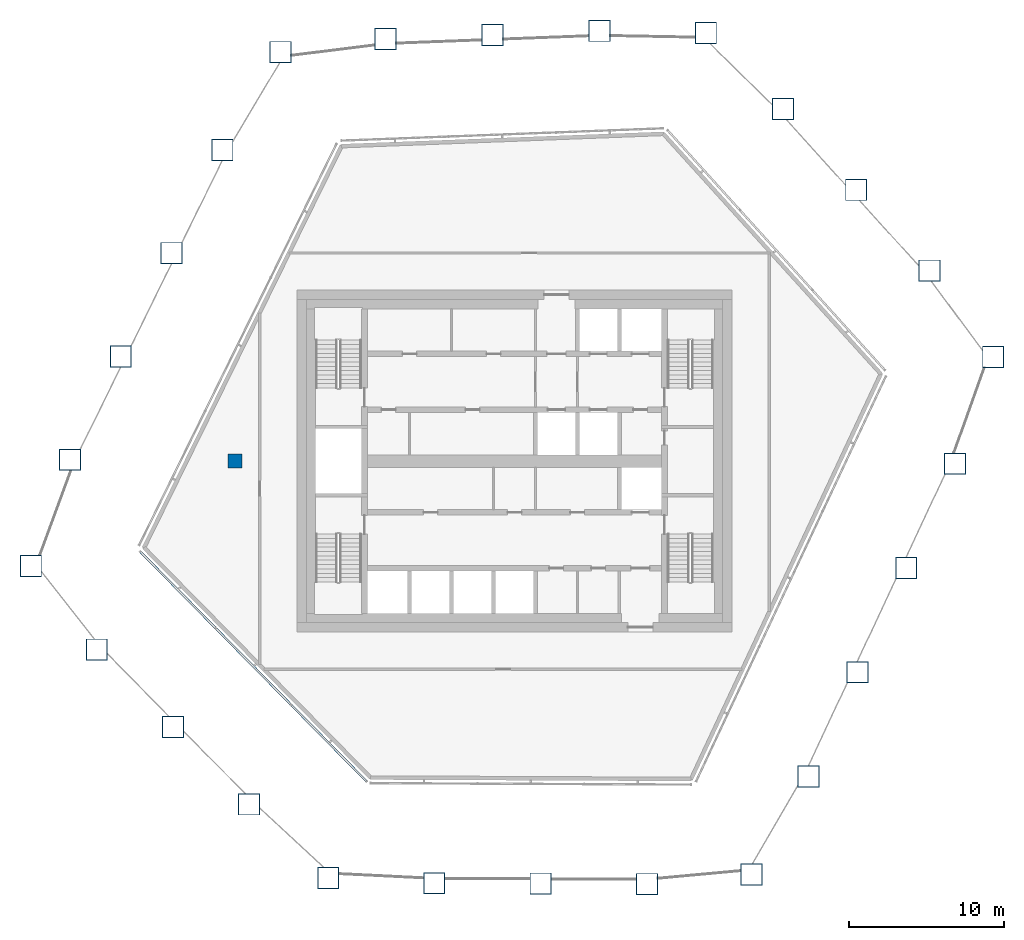
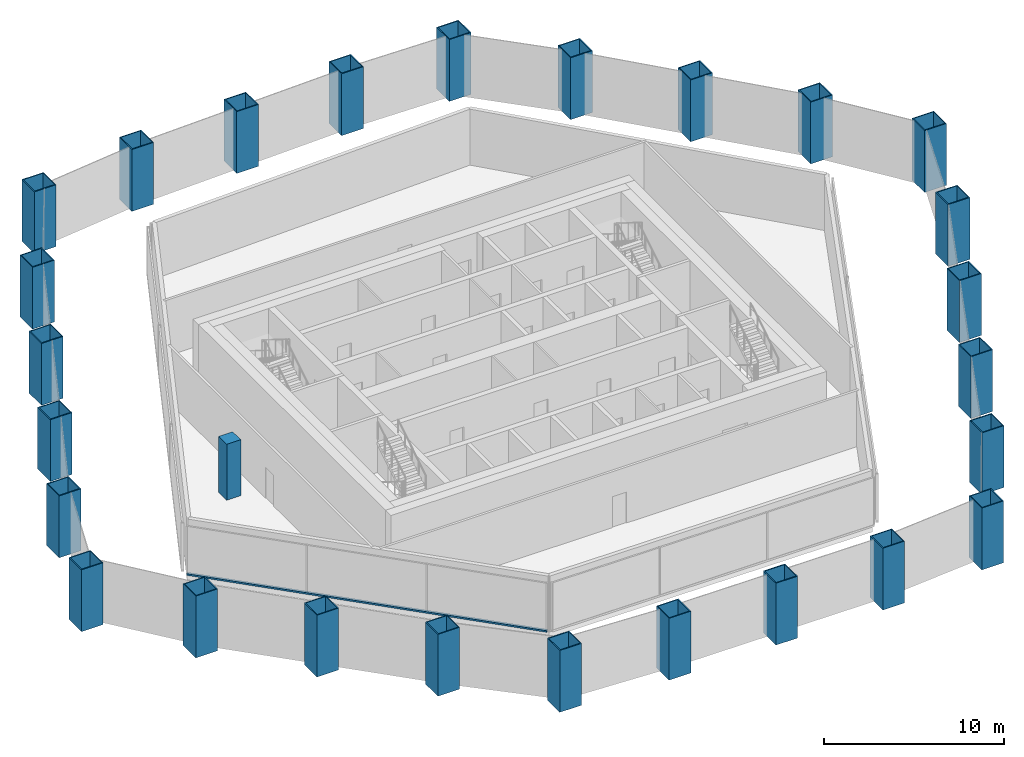
# One storey, part 1 of 18: 27 columns, 1 member, 1 element without a shape of its own.
"""IFC4 building model written with IfcOpenShell, lengths in metres."""

from ifc_helpers import new_model, si_unit, direction, frame, origin, origin_2d, place, context, subcontext, project, spatial, rectangle, hollow_rectangle, extrude, material, layer, layer_set, material_profile, profile_set, type_object, element, aggregate, save


model = new_model("IFC4")

# Units and contexts
model_context = context("Model", 3, precision=1e-05, world=origin(), true_north=direction((0.0, 1.0)))
body_context = subcontext(model_context, "Body", "Model", "MODEL_VIEW")
ifc_project = project(units=[si_unit("LENGTHUNIT", "METRE"), si_unit("AREAUNIT", "SQUARE_METRE"), si_unit("VOLUMEUNIT", "CUBIC_METRE"), si_unit("PLANEANGLEUNIT", "RADIAN"), si_unit("MASSUNIT", "GRAM", prefix="KILO")], contexts=[model_context])

# Site, building, storey
site_placement = place(None, origin())
site = spatial("IfcSite", under=ifc_project, at=site_placement, CompositionType="ELEMENT")
building_placement = place(site_placement, origin())
building = spatial("IfcBuilding", under=site, at=building_placement, Name="Dongbaek Canopy Tower", CompositionType="ELEMENT")
storey_placement = place(building_placement, frame((0.0, 0.0, 359.0)))
storey = spatial("IfcBuildingStorey", under=building, at=storey_placement, Name="L77", CompositionType="ELEMENT", Elevation=359.0)

# Columns
ifc_material_1 = material(Name="Steel S355", Category="steel")
ifc_material_profile_1 = material_profile(ifc_material_1, hollow_rectangle(XDim=1.39990234375, YDim=1.39990234375, WallThickness=0.06005859375, at=origin_2d()), Name="COLUMN BOX 1400x1400x60 Steel S355")
ifc_profile_set_1 = profile_set([ifc_material_profile_1], Name="Steel S355")
column_type_1 = type_object("IfcColumnType", Name="COLUMN BOX 1400x1400x60 Steel S355", PredefinedType="COLUMN", material=ifc_profile_set_1)
for number, where, z_axis, x_axis, name in (
    (1, (-31.12890625, -6.7451171875, 0.0), (0.0, 0.0, 1.0), (1.0, 0.0, 0.0), "CANOPYCOL:CCN-09:L77"),
    (2, (-26.888916015625, -12.134033203125, 0.0), (0.0, 0.0, 1.0), (1.0, 0.0, 0.0), "CANOPYCOL:CCN-08:L77"),
    (3, (-21.986083984375, -17.112060546875, 0.0), (0.0, 0.0, 1.0), (1.0, 0.0, 0.0), "CANOPYCOL:CCN-07:L77"),
    (4, (-17.083984375, -22.089111328125, 0.0), (0.0, 0.0, 1.0), (1.0, 0.0, 0.0), "CANOPYCOL:CCN-06:L77"),
    (5, (-11.985107421875, -26.8310546875, 0.0), (0.0, 0.0, 1.0), (1.0, 0.0, 0.0), "CANOPYCOL:CCN-05:L77"),
    (6, (-5.166015625, -27.1669921875, 0.0), (0.0, 0.0, 1.0), (1.0, 0.0, 0.0), "CANOPYCOL:CCN-04:L77"),
    (7, (1.68310546875, -27.197021484375, 0.0), (0.0, 0.0, 1.0), (1.0, 0.0, 0.0), "CANOPYCOL:CCN-03:L77"),
    (8, (8.533935546875, -27.22705078125, 0.0), (0.0, 0.0, 1.0), (1.0, 0.0, 0.0), "CANOPYCOL:CCN-02:L77"),
    (9, (15.251953125, -26.60693359375, 0.0), (0.0, 0.0, 1.0), (1.0, 0.0, 0.0), "CANOPYCOL:CCN-01:L77"),
    (10, (18.925048828125, -20.2958984375, 0.0), (0.0, 0.0, 1.0), (1.0, 0.0, 0.0), "CANOPYCOL:CCN-26:L77"),
    (11, (22.068115234375, -13.587890625, 0.0), (0.0, 0.0, 1.0), (1.0, 0.0, 0.0), "CANOPYCOL:CCN-25:L77"),
    (12, (25.2099609375, -6.87890625, 0.0), (0.0, 0.0, 1.0), (1.0, 0.0, 0.0), "CANOPYCOL:CCN-24:L77"),
    (13, (28.35107421875, -0.169921875, 0.0), (0.0, 0.0, 1.0), (1.0, 0.0, 0.0), "CANOPYCOL:CCN-23:L77"),
    (14, (30.804931640625, 6.697998046875, 0.0), (0.0, 0.0, 1.0), (1.0, 0.0, 0.0), "CANOPYCOL:CCN-22:L77"),
    (15, (26.702880859375, 12.257080078125, 0.0), (0.0, 0.0, 1.0), (1.0, 0.0, 0.0), "CANOPYCOL:CCN-21:L77"),
    (16, (21.989990234375, 17.4619140625, 0.0), (0.0, 0.0, 1.0), (1.0, 0.0, 0.0), "CANOPYCOL:CCN-20:L77"),
    (17, (17.27587890625, 22.666015625, 0.0), (0.0, 0.0, 1.0), (1.0, 0.0, 0.0), "CANOPYCOL:CCN-19:L77"),
    (18, (12.31396484375, 27.56298828125, 0.0), (0.0, 0.0, 1.0), (1.0, 0.0, 0.0), "CANOPYCOL:CCN-18:L77"),
    (19, (5.470947265625, 27.69189453125, 0.0), (0.0, 0.0, 1.0), (1.0, 0.0, 0.0), "CANOPYCOL:CCN-17:L77"),
    (20, (-1.41796875, 27.427978515625, 0.0), (0.0, 0.0, 1.0), (1.0, 0.0, 0.0), "CANOPYCOL:CCN-16:L77"),
    (21, (-8.30908203125, 27.1640625, 0.0), (0.0, 0.0, 1.0), (1.0, 0.0, 0.0), "CANOPYCOL:CCN-15:L77"),
    (22, (-15.06201171875, 26.321044921875, 0.0), (0.0, 0.0, 1.0), (1.0, 0.0, 0.0), "CANOPYCOL:CCN-14:L77"),
    (23, (-18.805908203125, 20.031982421875, 0.0), (0.0, 0.0, 1.0), (1.0, 0.0, 0.0), "CANOPYCOL:CCN-13:L77"),
    (24, (-22.075927734375, 13.384033203125, 0.0), (0.0, 0.0, 1.0), (1.0, 0.0, 0.0), "CANOPYCOL:CCN-12:L77"),
    (25, (-25.346923828125, 6.735107421875, 0.0), (0.0, 0.0, 1.0), (1.0, 0.0, 0.0), "CANOPYCOL:CCN-11:L77"),
    (26, (-28.616943359375, 0.0859375, 0.0), (0.0, 0.0, 1.0), (1.0, 0.0, 0.0), "CANOPYCOL:CCN-10:L77"),
):
    element("IfcColumn", number, at=place(storey_placement, frame(where, z_axis=z_axis, x_axis=x_axis)), inside=storey, type_object=column_type_1, Name=name, PredefinedType="COLUMN", context=body_context, shape_type="SweptSolid", body=[
        extrude(hollow_rectangle(XDim=1.39990234375, YDim=1.39990234375, WallThickness=0.06005859375, at=origin_2d()), origin(), (0.0, 0.0, 1.0), 4.199951171875),
    ])
ifc_material_2 = material(Name="Concrete C60", Category="concrete")
ifc_material_profile_2 = material_profile(ifc_material_2, rectangle(XDim=0.89990234375, YDim=0.89990234375, at=origin_2d()), Name="RC COLUMN 900x900 C60")
ifc_profile_set_2 = profile_set([ifc_material_profile_2], Name="Concrete C60")
column_type_2 = type_object("IfcColumnType", Name="RC COLUMN 900x900 C60", PredefinedType="COLUMN", material=ifc_profile_set_2)
column_placement = place(storey_placement, frame((-18.0, 0.0, 0.0), z_axis=(0.0, 0.0, 1.0), x_axis=(1.0, 0.0, 0.0)))
element("IfcColumn", 27, at=column_placement, inside=storey, type_object=column_type_2, Name="COL:CIC-01:L77", PredefinedType="COLUMN", context=body_context, shape_type="SweptSolid", body=[
    extrude(rectangle(XDim=0.89990234375, YDim=0.89990234375, at=origin_2d()), origin(), (0.0, 0.0, 1.0), 3.800048828125),
])

# Curtain wall, member
ifc_material_3 = material(Name="Aluminium 6063-T6 pale anodised", Category="aluminium")
ifc_layer = layer(ifc_material_3, 0.14990234375)
ifc_layer_set = layer_set([ifc_layer], Name="CW-7 louvre curtain wall")
curtain_wall_type = type_object("IfcCurtainWallType", Name="CW-7 louvre curtain wall", PredefinedType="NOTDEFINED", material=ifc_layer_set)
curtain_wall_placement = place(storey_placement, origin())
curtain_wall = element("IfcCurtainWall", 28, at=curtain_wall_placement, inside=storey, type_object=curtain_wall_type, Name="CW-7 louvre wall L77 F5", PredefinedType="NOTDEFINED")
ifc_material_4 = material(Name="Aluminium 6063-T6 pale anodised", Category="aluminium")
ifc_material_profile_3 = material_profile(ifc_material_4, rectangle(XDim=0.14990234375, YDim=0.1201171875, at=origin_2d()), Name="CW-7 transom 120 x 150")
ifc_profile_set_3 = profile_set([ifc_material_profile_3], Name="Aluminium 6063-T6 pale anodised")
member_type = type_object("IfcMemberType", Name="CW-7 transom 120 x 150", PredefinedType="USERDEFINED", material=ifc_profile_set_3)
member_placement = place(storey_placement, frame((-24.1005859375, -5.813720703125, 0.239990234375), z_axis=(0.701718568407, -0.712454244673, 0.0), x_axis=(0.712454244673, 0.701718568407, 0.0)))
member = element("IfcMember", 29, at=member_placement, type_object=member_type, Name="CW-7 transom L77 F5.1", ObjectType="TRANSOM", PredefinedType="USERDEFINED", context=body_context, shape_type="SweptSolid", body=[
    extrude(rectangle(XDim=0.14990234375, YDim=0.1201171875, at=origin_2d()), origin(), (0.0, 0.0, 1.0), 20.785400390625),
])
aggregate(curtain_wall, [member])

save(model, "model.ifc")
